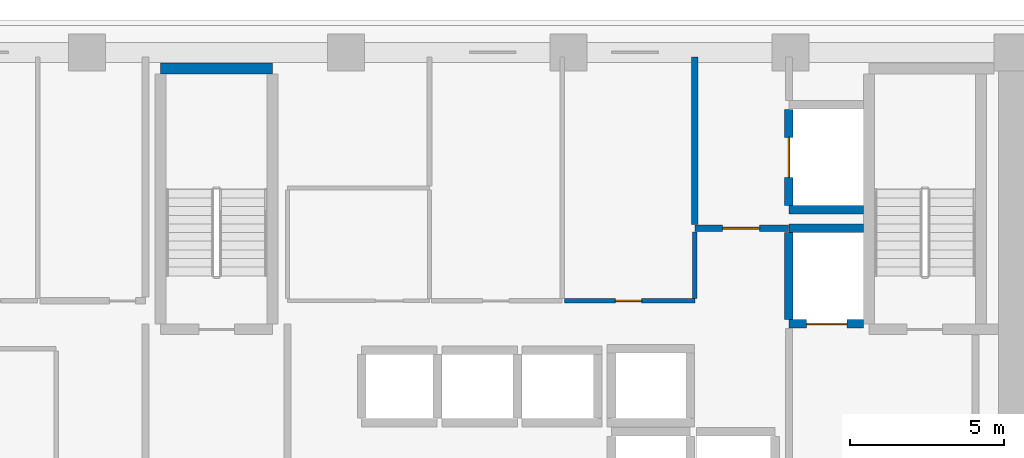
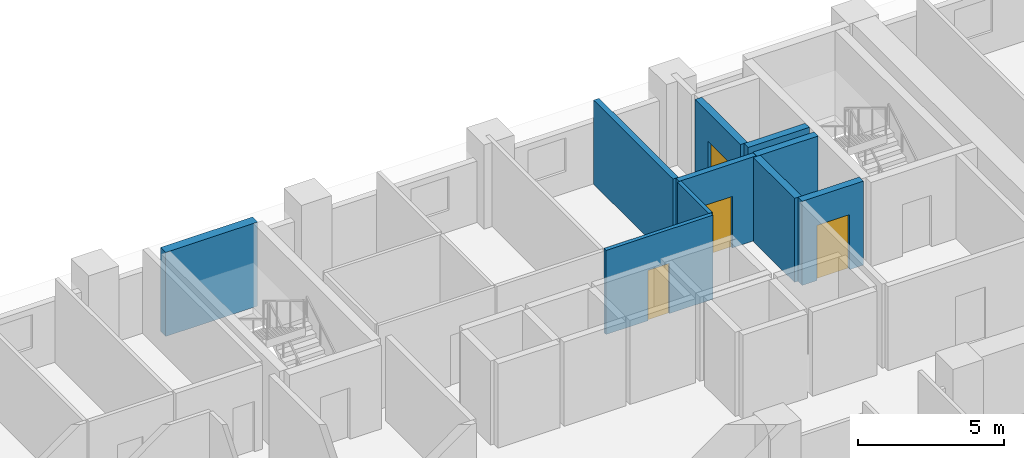
# One storey, part 8 of 15: 10 walls, 4 doors, 4 openings.
"""IFC4 building model written with IfcOpenShell, lengths in metres."""

from ifc_helpers import new_model, si_unit, direction, frame, frame_2d, origin, place, context, subcontext, project, spatial, rectangle, extrude, material, layer, layer_set, type_object, element, fill, save


model = new_model("IFC4")

# Units and contexts
model_context = context("Model", 3, precision=1e-05, world=origin(), true_north=direction((0.0, 1.0)))
body_context = subcontext(model_context, "Body", "Model", "MODEL_VIEW")
ifc_project = project(units=[si_unit("LENGTHUNIT", "METRE"), si_unit("AREAUNIT", "SQUARE_METRE"), si_unit("VOLUMEUNIT", "CUBIC_METRE"), si_unit("PLANEANGLEUNIT", "RADIAN"), si_unit("MASSUNIT", "GRAM", prefix="KILO")], contexts=[model_context])

# Site, building, storey
site_placement = place(None, origin())
site = spatial("IfcSite", under=ifc_project, at=site_placement, CompositionType="ELEMENT")
building_placement = place(site_placement, origin())
building = spatial("IfcBuilding", under=site, at=building_placement, Name="Kaelvorn Grand Hotel", CompositionType="ELEMENT")
storey_placement = place(building_placement, frame((0.0, 0.0, 111.800048828125)))
storey = spatial("IfcBuildingStorey", under=building, at=storey_placement, Name="L26", CompositionType="ELEMENT", Elevation=111.800048828125)

# Wall, opening, door
ifc_material_1 = material(Name="Acoustic Gypsum & Stud Partition")
ifc_layer_1 = layer(ifc_material_1, 0.14990234375)
ifc_layer_set_1 = layer_set([ifc_layer_1], Name="Acoustic Gypsum & Stud Partition")
wall_type_1 = type_object("IfcWallType", Name="WL-PART-150-EI60", PredefinedType="PARTITIONING", material=ifc_layer_set_1)
wall_1_placement = place(storey_placement, frame((53.280029296875, 40.949951171875, 0.0), z_axis=(0.0, 0.0, 1.0), x_axis=(1.0, 0.0, 0.0)))
wall_1 = element("IfcWall", 1, at=wall_1_placement, inside=storey, type_object=wall_type_1, Name="L26 Floor IT & Comms Room S Partition", PredefinedType="PARTITIONING", context=body_context, shape_type="SweptSolid", body=[
    extrude(rectangle(XDim=4.219970703125, YDim=0.14990234375, at=frame_2d((2.10986328125, 0.0))), origin(), (0.0, 0.0, 1.0), 3.510009765625),
])
opening_1_placement = place(wall_1_placement, frame((1.64501953125, 0.0, 0.0)))
opening_1 = element("IfcOpeningElement", 2, at=opening_1_placement, cuts=wall_1, Name="Opening DI7", PredefinedType="OPENING", context=body_context, shape_type="SweptSolid", body=[
    extrude(rectangle(XDim=0.85009765625, YDim=2.10009765625, at=frame_2d((0.425048828125, 1.050048828125))), frame((0.0, 0.0849609375, 0.0), z_axis=(0.0, -1.0, 0.0), x_axis=(1.0, 0.0, 0.0)), (0.0, 0.0, 1.0), 0.169921875),
])
ifc_material_2 = material(Name="Powder-Coated Steel Leaf", Category="steel")
door_type_1 = type_object("IfcDoorType", Name="DR-INT-RISER-850x2100", OperationType="NOTDEFINED", PredefinedType="DOOR", material=ifc_material_2)
door_1_placement = place(opening_1_placement, origin())
door_1 = element("IfcDoor", 3, at=door_1_placement, inside=storey, type_object=door_type_1, Name="L26 Floor IT & Comms Room Door", OperationType="SINGLE_SWING_LEFT", OverallHeight=2.10009765625, OverallWidth=0.85009765625, PredefinedType="DOOR", context=body_context, shape_type="SweptSolid", body=[
    extrude(rectangle(XDim=0.85009765625, YDim=2.10009765625, at=frame_2d((0.425048828125, 1.050048828125))), frame((0.0, 0.02490234375, 0.0), z_axis=(0.0, -1.0, 0.0), x_axis=(1.0, 0.0, 0.0)), (0.0, 0.0, 1.0), 0.050048828125),
])
fill(opening_1, door_1)

# Wall
wall_2_placement = place(storey_placement, frame((57.5, 41.030029296875, 0.0), z_axis=(0.0, 0.0, 1.0), x_axis=(0.0, 1.0, 0.0)))
element("IfcWall", 4, at=wall_2_placement, inside=storey, type_object=wall_type_1, Name="L26 Floor IT & Comms Room E Partition", PredefinedType="PARTITIONING", context=body_context, shape_type="SweptSolid", body=[
    extrude(rectangle(XDim=2.155029296875, YDim=0.14990234375, at=frame_2d((1.07763671875, 0.0))), origin(), (0.0, 0.0, 1.0), 3.510009765625),
])

# Wall, opening, door
ifc_material_3 = material(Name="Concrete C40/50", Category="concrete")
ifc_layer_2 = layer(ifc_material_3, 0.219970703125)
ifc_layer_set_2 = layer_set([ifc_layer_2], Name="Concrete C40/50")
wall_type_2 = type_object("IfcWallType", Name="WL-PART-220-EI120", PredefinedType="PARTITIONING", material=ifc_layer_set_2)
wall_3_placement = place(storey_placement, frame((57.5, 43.300048828125, 0.0), z_axis=(0.0, 0.0, 1.0), x_axis=(1.0, 0.0, 0.0)))
wall_3 = element("IfcWall", 5, at=wall_3_placement, inside=storey, type_object=wall_type_2, Name="L26 Service Lift Lobby S Partition", PredefinedType="PARTITIONING", context=body_context, shape_type="SweptSolid", body=[
    extrude(rectangle(XDim=3.0400390625, YDim=0.219970703125, at=frame_2d((1.52001953125, 0.0))), origin(), (0.0, 0.0, 1.0), 3.510009765625),
])
opening_2_placement = place(wall_3_placement, frame((0.89990234375, 0.0, 0.0)))
opening_2 = element("IfcOpeningElement", 6, at=opening_2_placement, cuts=wall_3, Name="Opening DI2", PredefinedType="OPENING", context=body_context, shape_type="SweptSolid", body=[
    extrude(rectangle(XDim=1.199951171875, YDim=2.14990234375, at=frame_2d((0.60009765625, 1.074951171875))), frame((0.0, 0.1201171875, 0.0), z_axis=(0.0, -1.0, 0.0), x_axis=(1.0, 0.0, 0.0)), (0.0, 0.0, 1.0), 0.239990234375),
])
ifc_material_4 = material(Name="Timber Veneer Fire Leaf", Category="wood")
door_type_2 = type_object("IfcDoorType", Name="DR-INT-FFLOB-1200x2150", OperationType="NOTDEFINED", PredefinedType="DOOR", material=ifc_material_4)
door_2_placement = place(opening_2_placement, origin())
door_2 = element("IfcDoor", 7, at=door_2_placement, inside=storey, type_object=door_type_2, Name="L26 Service Lift Lobby Door", OperationType="SINGLE_SWING_RIGHT", OverallHeight=2.14990234375, OverallWidth=1.199951171875, PredefinedType="DOOR", context=body_context, shape_type="SweptSolid", body=[
    extrude(rectangle(XDim=1.199951171875, YDim=2.14990234375, at=frame_2d((0.60009765625, 1.074951171875))), frame((0.0, 0.02490234375, 0.0), z_axis=(0.0, -1.0, 0.0), x_axis=(1.0, 0.0, 0.0)), (0.0, 0.0, 1.0), 0.050048828125),
])
fill(opening_2, door_2)

# Wall
wall_4_placement = place(storey_placement, frame((57.5, 43.4150390625, 0.0), z_axis=(0.0, 0.0, 1.0), x_axis=(0.0, 1.0, 0.0)))
element("IfcWall", 8, at=wall_4_placement, inside=storey, type_object=wall_type_2, Name="L26 Service Lift Lobby W Partition", PredefinedType="PARTITIONING", context=body_context, shape_type="SweptSolid", body=[
    extrude(rectangle(XDim=5.43505859375, YDim=0.219970703125, at=frame_2d((2.717529296875, 0.0))), origin(), (0.0, 0.0, 1.0), 3.510009765625),
])

# Wall, opening, door
ifc_material_5 = material(Name="Concrete C50/60", Category="concrete")
ifc_layer_3 = layer(ifc_material_5, 0.280029296875)
ifc_layer_set_3 = layer_set([ifc_layer_3], Name="Concrete C50/60")
wall_type_3 = type_object("IfcWallType", Name="WL-SHAFT-280-C50", PredefinedType="SHEAR", material=ifc_layer_set_3)
wall_5_placement = place(storey_placement, frame((60.550048828125, 40.199951171875, 0.0), z_axis=(0.0, 0.0, 1.0), x_axis=(1.0, 0.0, 0.0)))
wall_5 = element("IfcWall", 9, at=wall_5_placement, inside=storey, type_object=wall_type_3, Name="L26 Lift FFL2 Shaft South Wall", PredefinedType="SHEAR", context=body_context, shape_type="SweptSolid", body=[
    extrude(rectangle(XDim=2.4150390625, YDim=0.280029296875, at=frame_2d((1.20751953125, 0.0))), origin(), (0.0, 0.0, 1.0), 3.510009765625),
])
opening_3_placement = place(wall_5_placement, frame((0.574951171875, 0.0, 0.0)))
opening_3 = element("IfcOpeningElement", 10, at=opening_3_placement, cuts=wall_5, Name="Opening LD-FFL2", PredefinedType="OPENING", context=body_context, shape_type="SweptSolid", body=[
    extrude(rectangle(XDim=1.300048828125, YDim=2.300048828125, at=frame_2d((0.64990234375, 1.14990234375))), frame((0.0, 0.14990234375, 0.0), z_axis=(0.0, -1.0, 0.0), x_axis=(1.0, 0.0, 0.0)), (0.0, 0.0, 1.0), 0.300048828125),
])
ifc_material_6 = material(Name="Stainless Steel", Category="steel")
door_type_3 = type_object("IfcDoorType", Name="DR-LIFT-SERV-1300x2300", OperationType="DOUBLE_DOOR_SLIDING", PredefinedType="DOOR", material=ifc_material_6)
door_3_placement = place(opening_3_placement, origin())
door_3 = element("IfcDoor", 11, at=door_3_placement, inside=storey, type_object=door_type_3, Name="L26 Lift FFL2 Sliding Landing Door LD-FFL2", OperationType="DOUBLE_DOOR_SLIDING", OverallHeight=2.300048828125, OverallWidth=1.300048828125, PredefinedType="DOOR", context=body_context, shape_type="SweptSolid", body=[
    extrude(rectangle(XDim=1.300048828125, YDim=2.300048828125, at=frame_2d((0.64990234375, 1.14990234375))), frame((0.0, 0.02490234375, 0.0), z_axis=(0.0, -1.0, 0.0), x_axis=(1.0, 0.0, 0.0)), (0.0, 0.0, 1.0), 0.050048828125),
])
fill(opening_3, door_3)

# Walls
wall_6_placement = place(storey_placement, frame((60.550048828125, 43.300048828125, 0.0), z_axis=(0.0, 0.0, 1.0), x_axis=(1.0, 0.0, 0.0)))
element("IfcWall", 12, at=wall_6_placement, inside=storey, type_object=wall_type_3, Name="L26 Lift FFL2 Shaft North Wall", PredefinedType="SHEAR", context=body_context, shape_type="SweptSolid", body=[
    extrude(rectangle(XDim=2.4150390625, YDim=0.280029296875, at=frame_2d((1.20751953125, 0.0))), origin(), (0.0, 0.0, 1.0), 3.510009765625),
])
wall_7_placement = place(storey_placement, frame((60.550048828125, 40.344970703125, 0.0), z_axis=(0.0, 0.0, 1.0), x_axis=(0.0, 1.0, 0.0)))
element("IfcWall", 13, at=wall_7_placement, inside=storey, type_object=wall_type_3, Name="L26 Lift FFL2 Shaft West Wall", PredefinedType="SHEAR", context=body_context, shape_type="SweptSolid", body=[
    extrude(rectangle(XDim=2.81005859375, YDim=0.280029296875, at=frame_2d((1.405029296875, 0.0))), origin(), (0.0, 0.0, 1.0), 3.510009765625),
])
wall_8_placement = place(storey_placement, frame((60.550048828125, 43.89990234375, 0.0), z_axis=(0.0, 0.0, 1.0), x_axis=(1.0, 0.0, 0.0)))
element("IfcWall", 14, at=wall_8_placement, inside=storey, type_object=wall_type_3, Name="L26 Lift SV1 Shaft South Wall", PredefinedType="SHEAR", context=body_context, shape_type="SweptSolid", body=[
    extrude(rectangle(XDim=2.4150390625, YDim=0.280029296875, at=frame_2d((1.20751953125, 0.0))), origin(), (0.0, 0.0, 1.0), 3.510009765625),
])

# Wall, opening, door
wall_9_placement = place(storey_placement, frame((60.550048828125, 44.044921875, 0.0), z_axis=(0.0, 0.0, 1.0), x_axis=(0.0, 1.0, 0.0)))
wall_9 = element("IfcWall", 15, at=wall_9_placement, inside=storey, type_object=wall_type_3, Name="L26 Lift SV1 Shaft West Wall", PredefinedType="SHEAR", context=body_context, shape_type="SweptSolid", body=[
    extrude(rectangle(XDim=3.110107421875, YDim=0.280029296875, at=frame_2d((1.55517578125, 0.0))), origin(), (0.0, 0.0, 1.0), 3.510009765625),
])
opening_4_placement = place(wall_9_placement, frame((0.905029296875, 0.0, 0.0)))
opening_4 = element("IfcOpeningElement", 16, at=opening_4_placement, cuts=wall_9, Name="Opening LD-SV1", PredefinedType="OPENING", context=body_context, shape_type="SweptSolid", body=[
    extrude(rectangle(XDim=1.300048828125, YDim=2.300048828125, at=frame_2d((0.64990234375, 1.14990234375))), frame((0.0, 0.14990234375, 0.0), z_axis=(0.0, -1.0, 0.0), x_axis=(1.0, 0.0, 0.0)), (0.0, 0.0, 1.0), 0.300048828125),
])
door_4_placement = place(opening_4_placement, origin())
door_4 = element("IfcDoor", 17, at=door_4_placement, inside=storey, type_object=door_type_3, Name="L26 Lift SV1 Sliding Landing Door LD-SV1", OperationType="DOUBLE_DOOR_SLIDING", OverallHeight=2.300048828125, OverallWidth=1.300048828125, PredefinedType="DOOR", context=body_context, shape_type="SweptSolid", body=[
    extrude(rectangle(XDim=1.300048828125, YDim=2.300048828125, at=frame_2d((0.64990234375, 1.14990234375))), frame((0.0, 0.02490234375, 0.0), z_axis=(0.0, -1.0, 0.0), x_axis=(1.0, 0.0, 0.0)), (0.0, 0.0, 1.0), 0.050048828125),
])
fill(opening_4, door_4)

# Wall
ifc_material_7 = material(Name="Concrete C60/75", Category="concrete")
ifc_layer_4 = layer(ifc_material_7, 0.35009765625)
ifc_layer_set_4 = layer_set([ifc_layer_4], Name="Concrete C60/75")
wall_type_4 = type_object("IfcWallType", Name="WL-SHAFT-350-C60", PredefinedType="SHEAR", material=ifc_layer_set_4)
wall_10_placement = place(storey_placement, frame((40.18505859375, 48.47509765625, 0.0), z_axis=(0.0, 0.0, 1.0), x_axis=(1.0, 0.0, 0.0)))
element("IfcWall", 18, at=wall_10_placement, inside=storey, type_object=wall_type_4, Name="L26 ST2 Stair Shaft North Wall", PredefinedType="SHEAR", context=body_context, shape_type="SweptSolid", body=[
    extrude(rectangle(XDim=3.6298828125, YDim=0.35009765625, at=frame_2d((1.81494140625, 0.0))), origin(), (0.0, 0.0, 1.0), 3.510009765625),
])

save(model, "model.ifc")
